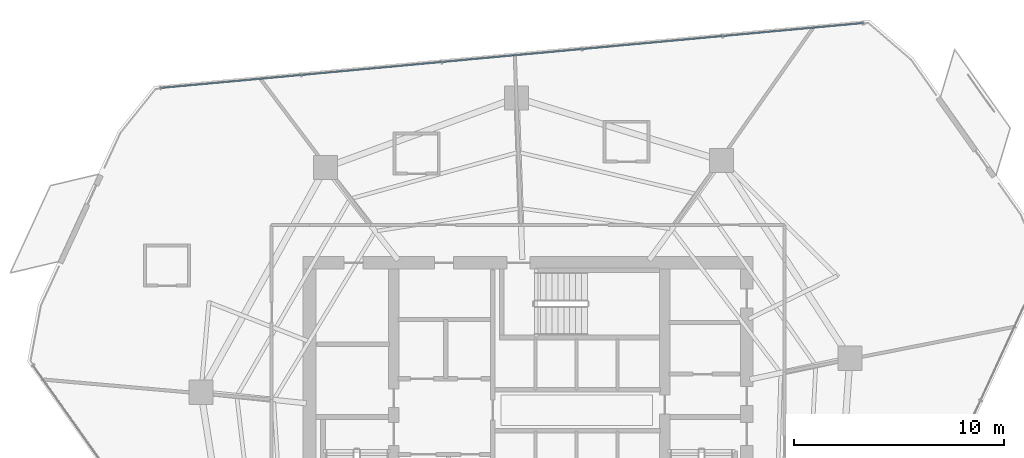
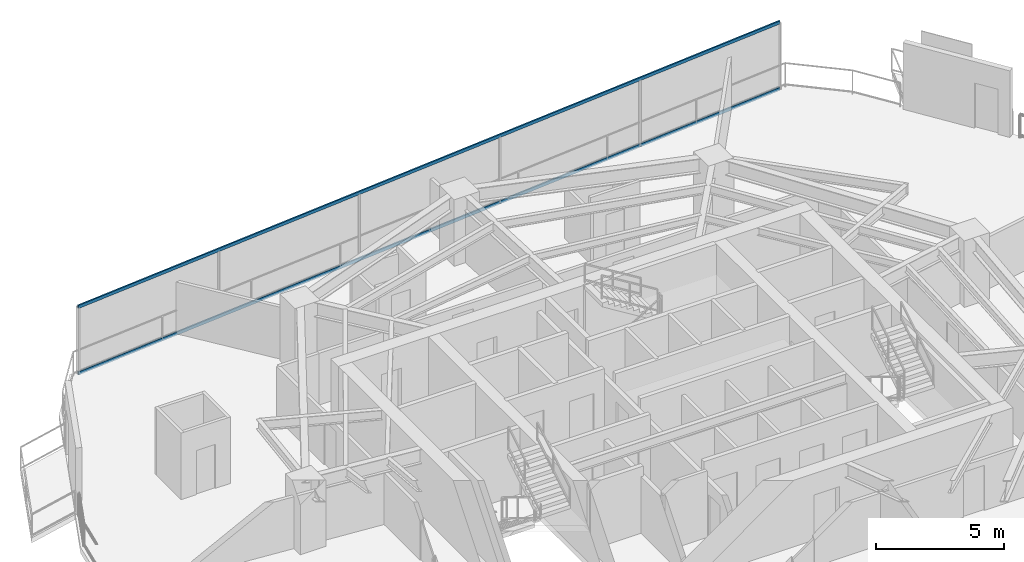
# One storey, part 19 of 30: 2 members, 1 element without a shape of its own.
"""IFC4 building model written with IfcOpenShell, lengths in metres."""

from ifc_helpers import new_model, si_unit, direction, frame, origin, origin_2d, place, context, subcontext, project, spatial, hollow_rectangle, extrude, material, layer, layer_set, material_profile, profile_set, type_object, element, aggregate, save


model = new_model("IFC4")

# Units and contexts
model_context = context("Model", 3, precision=1e-05, world=origin(), true_north=direction((0.0, 1.0)))
body_context = subcontext(model_context, "Body", "Model", "MODEL_VIEW")
ifc_project = project(units=[si_unit("LENGTHUNIT", "METRE"), si_unit("AREAUNIT", "SQUARE_METRE"), si_unit("VOLUMEUNIT", "CUBIC_METRE"), si_unit("PLANEANGLEUNIT", "RADIAN"), si_unit("MASSUNIT", "GRAM", prefix="KILO")], contexts=[model_context])

# Site, building, storey
site_placement = place(None, origin())
site = spatial("IfcSite", under=ifc_project, at=site_placement, CompositionType="ELEMENT")
building_placement = place(site_placement, origin())
building = spatial("IfcBuilding", under=site, at=building_placement, Name="Qarnah Convention Tower", CompositionType="ELEMENT")
storey_placement = place(building_placement, frame((0.0, 0.0, 86.699951171875)))
storey = spatial("IfcBuildingStorey", under=building, at=storey_placement, Name="L22", CompositionType="ELEMENT", Elevation=86.699951171875)

# Curtain wall, members
ifc_material_1 = material(Name="Tempered Low-E dark glass", Category="glass")
ifc_layer = layer(ifc_material_1, 0.169921875)
ifc_layer_set = layer_set([ifc_layer], Name="Tempered Low-E dark glass")
curtain_wall_type = type_object("IfcCurtainWallType", Name="CWS-02", PredefinedType="NOTDEFINED", material=ifc_layer_set)
curtain_wall_placement = place(storey_placement, origin())
curtain_wall = element("IfcCurtainWall", 1, at=curtain_wall_placement, inside=storey, type_object=curtain_wall_type, Name="L22 unitised curtain wall CW-L22-F1", PredefinedType="NOTDEFINED")
ifc_material_2 = material(Name="Black anodised aluminium", Category="aluminium")
ifc_material_profile = material_profile(ifc_material_2, hollow_rectangle(XDim=0.06494140625, YDim=0.14990234375, WallThickness=0.00390625, at=origin_2d()), Name="TRN-65X150")
ifc_profile_set = profile_set([ifc_material_profile], Name="Black anodised aluminium")
member_type = type_object("IfcMemberType", Name="TRN-T2", PredefinedType="USERDEFINED", material=ifc_profile_set)
member_1_placement = place(storey_placement, frame((19.718017578125, 42.508056640625, 0.0), z_axis=(0.995756495305, 0.092027181082, 0.0), x_axis=(-0.092027181082, 0.995756495305, 0.0)))
member_1 = element("IfcMember", 2, at=member_1_placement, type_object=member_type, Name="CW-L22-F1 transom 1", ObjectType="TRANSOM", PredefinedType="USERDEFINED", context=body_context, shape_type="SweptSolid", body=[
    extrude(hollow_rectangle(XDim=0.06494140625, YDim=0.14990234375, WallThickness=0.00390625, at=origin_2d()), origin(), (0.0, 0.0, 1.0), 33.575439453125),
])
member_2_placement = place(storey_placement, frame((19.718017578125, 42.508056640625, 3.170166015625), z_axis=(0.995756495305, 0.092027181082, 0.0), x_axis=(-0.092027181082, 0.995756495305, 0.0)))
member_2 = element("IfcMember", 3, at=member_2_placement, type_object=member_type, Name="CW-L22-F1 transom 2", ObjectType="TRANSOM", PredefinedType="USERDEFINED", context=body_context, shape_type="SweptSolid", body=[
    extrude(hollow_rectangle(XDim=0.06494140625, YDim=0.14990234375, WallThickness=0.00390625, at=origin_2d()), origin(), (0.0, 0.0, 1.0), 33.575439453125),
])
aggregate(curtain_wall, [member_1, member_2])

save(model, "model.ifc")
